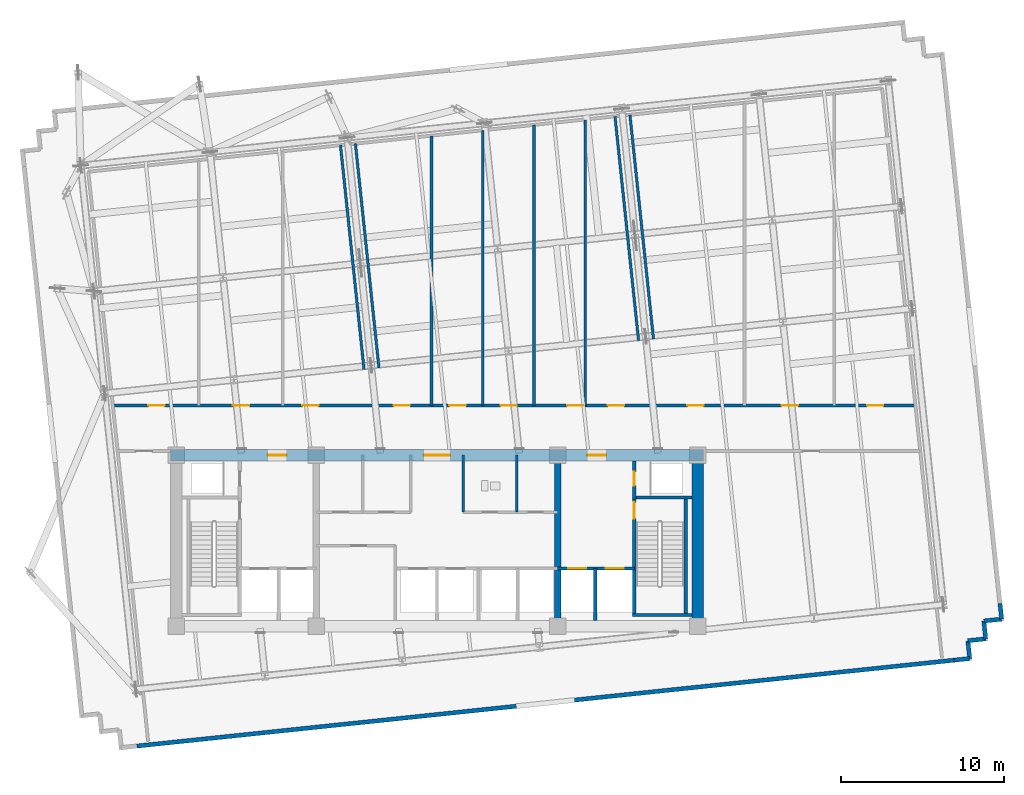
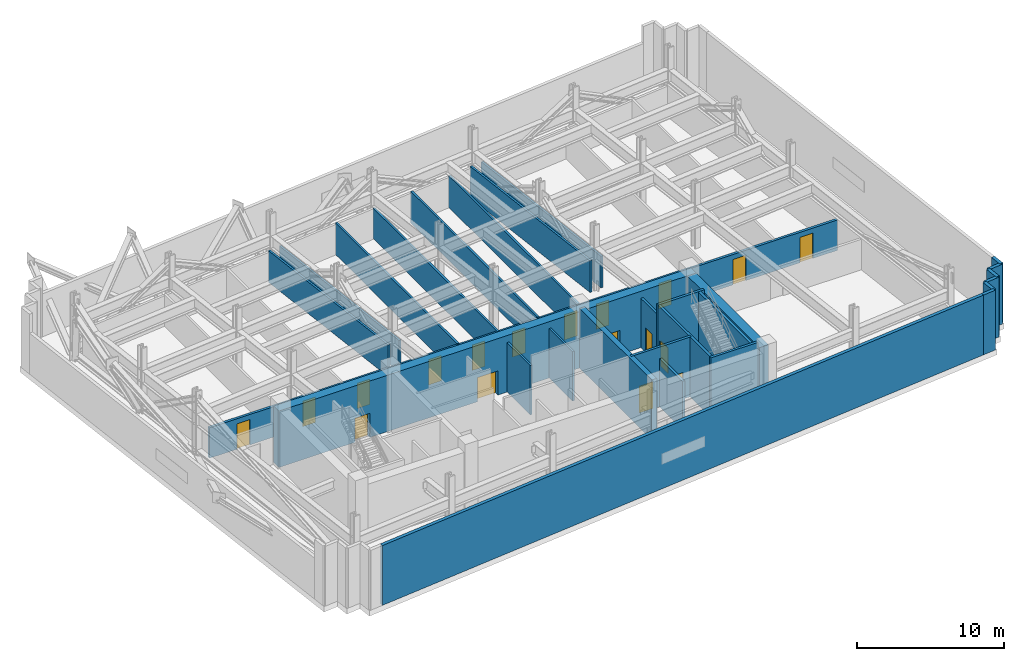
# One storey, part 7 of 11: 28 walls, 18 doors, 18 openings.
"""IFC4 building model written with IfcOpenShell, lengths in metres."""

from ifc_helpers import new_model, si_unit, direction, frame, frame_2d, origin, place, context, subcontext, project, spatial, rectangle, extrude, material, layer, layer_set, type_object, element, fill, save


model = new_model("IFC4")

# Units and contexts
model_context = context("Model", 3, precision=1e-05, world=origin(), true_north=direction((0.0, 1.0)))
body_context = subcontext(model_context, "Body", "Model", "MODEL_VIEW")
ifc_project = project(units=[si_unit("LENGTHUNIT", "METRE"), si_unit("AREAUNIT", "SQUARE_METRE"), si_unit("VOLUMEUNIT", "CUBIC_METRE"), si_unit("PLANEANGLEUNIT", "RADIAN"), si_unit("MASSUNIT", "GRAM", prefix="KILO")], contexts=[model_context])

# Site, building, storey
site_placement = place(None, origin())
site = spatial("IfcSite", under=ifc_project, at=site_placement, CompositionType="ELEMENT")
building_placement = place(site_placement, origin())
building = spatial("IfcBuilding", under=site, at=building_placement, Name="Solmavex Isthmus Hotel", CompositionType="ELEMENT")
storey_placement = place(building_placement, frame((0.0, 0.0, 130.5)))
storey = spatial("IfcBuildingStorey", under=building, at=storey_placement, Name="L35", CompositionType="ELEMENT", Elevation=130.5)

# Walls
ifc_material_1 = material(Name="Precast Concrete C40/50", Category="concrete")
ifc_layer_1 = layer(ifc_material_1, 0.260009765625)
ifc_layer_set_1 = layer_set([ifc_layer_1], Name="Precast Concrete C40/50")
wall_type_1 = type_object("IfcWallType", Name="EW-CRN-260", PredefinedType="STANDARD", material=ifc_layer_set_1)
wall_1_placement = place(storey_placement, frame((34.5341796875, -11.594482421875, 0.0), z_axis=(0.0, 0.0, 1.0), x_axis=(0.104462030706, -0.994528875469, 0.0)))
element("IfcWall", 1, at=wall_1_placement, inside=storey, type_object=wall_type_1, Name="Plant Acoustic Louvre Enclosure Wall L35-22", PredefinedType="STANDARD", context=body_context, shape_type="SweptSolid", body=[
    extrude(rectangle(XDim=0.969970703125, YDim=0.260009765625, at=frame_2d((0.48486328125, 0.0))), origin(), (0.0, 0.0, 1.0), 4.949951171875),
])
for number, where, z_axis, x_axis, name in (
    (2, (34.635498046875, -12.55908203125, 0.0), (0.0, 0.0, 1.0), (-0.994521251134, -0.104534592565, 0.0), "Plant Acoustic Louvre Enclosure Wall L35-23"),
    (3, (33.54150390625, -12.674072265625, 0.0), (0.0, 0.0, 1.0), (0.104534592565, -0.994521251134, 0.0), "Plant Acoustic Louvre Enclosure Wall L35-24"),
    (4, (33.656494140625, -13.76806640625, 0.0), (0.0, 0.0, 1.0), (-0.994521251134, -0.104534592565, 0.0), "Plant Acoustic Louvre Enclosure Wall L35-25"),
    (5, (32.5625, -13.883056640625, 0.0), (0.0, 0.0, 1.0), (0.104534592565, -0.994521251134, 0.0), "Plant Acoustic Louvre Enclosure Wall L35-26"),
):
    element("IfcWall", number, at=place(storey_placement, frame(where, z_axis=z_axis, x_axis=x_axis)), inside=storey, type_object=wall_type_1, Name=name, PredefinedType="STANDARD", context=body_context, shape_type="SweptSolid", body=[
        extrude(rectangle(XDim=1.10009765625, YDim=0.260009765625, at=frame_2d((0.550048828125, 0.0))), origin(), (0.0, 0.0, 1.0), 4.949951171875),
    ])
wall_2_placement = place(storey_placement, frame((32.677490234375, -14.97705078125, 0.0), z_axis=(0.0, 0.0, 1.0), x_axis=(-0.994528875469, -0.104462030706, 0.0)))
element("IfcWall", 6, at=wall_2_placement, inside=storey, type_object=wall_type_1, Name="Plant Acoustic Louvre Enclosure Wall L35-27", PredefinedType="STANDARD", context=body_context, shape_type="SweptSolid", body=[
    extrude(rectangle(XDim=0.969970703125, YDim=0.260009765625, at=frame_2d((0.48486328125, 0.0))), origin(), (0.0, 0.0, 1.0), 4.949951171875),
])
wall_3_placement = place(storey_placement, frame((31.712890625, -15.078369140625, 0.0), z_axis=(0.0, 0.0, 1.0), x_axis=(-0.994521764608, -0.104529707359, 0.0)))
element("IfcWall", 7, at=wall_3_placement, inside=storey, type_object=wall_type_1, Name="Plant Acoustic Louvre Enclosure Wall L35-28", PredefinedType="STANDARD", context=body_context, shape_type="SweptSolid", body=[
    extrude(rectangle(XDim=50.400146484375, YDim=0.260009765625, at=frame_2d((25.2001953125, 0.0))), origin(), (0.0, 0.0, 1.0), 4.949951171875),
])
ifc_material_2 = material(Name="Gypsum plasterboard lining", Category="gypsum")
ifc_layer_2 = layer(ifc_material_2, 0.159912109375)
ifc_layer_set_2 = layer_set([ifc_layer_2], Name="Gypsum plasterboard lining")
wall_type_2 = type_object("IfcWallType", Name="IW-COMP-160", PredefinedType="PARTITIONING", material=ifc_layer_set_2)
for number, where, z_axis, x_axis, name in (
    (8, (-4.475830078125, 2.756591796875, 0.0), (0.0, 0.0, 1.0), (-0.104523970716, 0.994522367544, 0.0), "Interior Partition Wall W-L35-OTWL"),
    (9, (-3.560791015625, 2.852783203125, 0.0), (0.0, 0.0, 1.0), (-0.104523970716, 0.994522367544, 0.0), "Interior Partition Wall W-L35-OTWR"),
):
    element("IfcWall", number, at=place(storey_placement, frame(where, z_axis=z_axis, x_axis=x_axis)), inside=storey, type_object=wall_type_2, Name=name, PredefinedType="PARTITIONING", context=body_context, shape_type="SweptSolid", body=[
        extrude(rectangle(XDim=13.829833984375, YDim=0.159912109375, at=frame_2d((6.9150390625, 0.0))), origin(), (0.0, 0.0, 1.0), 2.615966796875),
    ])
for number, where, z_axis, x_axis, name in (
    (10, (12.363525390625, 4.5263671875, 0.0), (0.0, 0.0, 1.0), (-0.104522135684, 0.994522560404, 0.0), "Interior Partition Wall W-L35-OTEL"),
    (11, (13.278564453125, 4.62255859375, 0.0), (0.0, 0.0, 1.0), (-0.104539595565, 0.994520725254, 0.0), "Interior Partition Wall W-L35-OTER"),
):
    element("IfcWall", number, at=place(storey_placement, frame(where, z_axis=z_axis, x_axis=x_axis)), inside=storey, type_object=wall_type_2, Name=name, PredefinedType="PARTITIONING", context=body_context, shape_type="SweptSolid", body=[
        extrude(rectangle(XDim=13.830078125, YDim=0.159912109375, at=frame_2d((6.9150390625, 0.0))), origin(), (0.0, 0.0, 1.0), 2.615966796875),
    ])
wall_4_placement = place(storey_placement, frame((-0.340087890625, 0.550048828125, 0.0), z_axis=(0.0, 0.0, 1.0), x_axis=(0.0, 1.0, 0.0)))
element("IfcWall", 12, at=wall_4_placement, inside=storey, type_object=wall_type_2, Name="Interior Partition Wall W-L35-PX4", PredefinedType="PARTITIONING", context=body_context, shape_type="SweptSolid", body=[
    extrude(rectangle(XDim=16.52734375, YDim=0.159912109375, at=frame_2d((8.263671875, 0.0))), origin(), (0.0, 0.0, 1.0), 2.615966796875),
])
wall_5_placement = place(storey_placement, frame((2.81005859375, 0.550048828125, 0.0), z_axis=(0.0, 0.0, 1.0), x_axis=(0.0, 1.0, 0.0)))
element("IfcWall", 13, at=wall_5_placement, inside=storey, type_object=wall_type_2, Name="Interior Partition Wall W-L35-PX5", PredefinedType="PARTITIONING", context=body_context, shape_type="SweptSolid", body=[
    extrude(rectangle(XDim=16.8583984375, YDim=0.159912109375, at=frame_2d((8.42919921875, 0.0))), origin(), (0.0, 0.0, 1.0), 2.518798828125),
])
wall_6_placement = place(storey_placement, frame((5.949951171875, 0.550048828125, 0.0), z_axis=(0.0, 0.0, 1.0), x_axis=(0.0, 1.0, 0.0)))
element("IfcWall", 14, at=wall_6_placement, inside=storey, type_object=wall_type_2, Name="Interior Partition Wall W-L35-PX6", PredefinedType="PARTITIONING", context=body_context, shape_type="SweptSolid", body=[
    extrude(rectangle(XDim=17.1884765625, YDim=0.159912109375, at=frame_2d((8.59423828125, 0.0))), origin(), (0.0, 0.0, 1.0), 2.615966796875),
])
wall_7_placement = place(storey_placement, frame((9.10009765625, 0.550048828125, 0.0), z_axis=(0.0, 0.0, 1.0), x_axis=(0.0, 1.0, 0.0)))
element("IfcWall", 15, at=wall_7_placement, inside=storey, type_object=wall_type_2, Name="Interior Partition Wall W-L35-PX7", PredefinedType="PARTITIONING", context=body_context, shape_type="SweptSolid", body=[
    extrude(rectangle(XDim=17.51953125, YDim=0.159912109375, at=frame_2d((8.759765625, 0.0))), origin(), (0.0, 0.0, 1.0), 2.615966796875),
])
ifc_layer_3 = layer(ifc_material_2, 0.14990234375)
ifc_layer_set_3 = layer_set([ifc_layer_3], Name="Gypsum plasterboard lining")
wall_type_3 = type_object("IfcWallType", Name="IW-CORR-150", PredefinedType="PARTITIONING", material=ifc_layer_set_3)
wall_8_placement = place(storey_placement, frame((1.60009765625, -6.0, 0.0), z_axis=(0.0, 0.0, 1.0), x_axis=(0.0, 1.0, 0.0)))
element("IfcWall", 16, at=wall_8_placement, inside=storey, type_object=wall_type_3, Name="Interior Partition Wall W-L35-BOH-EW", PredefinedType="PARTITIONING", context=body_context, shape_type="SweptSolid", body=[
    extrude(rectangle(XDim=3.5, YDim=0.14990234375, at=frame_2d((1.75, 0.0))), origin(), (0.0, 0.0, 1.0), 4.094970703125),
])
ifc_layer_4 = layer(ifc_material_2, 0.1201171875)
ifc_layer_set_4 = layer_set([ifc_layer_4], Name="Gypsum plasterboard lining")
wall_type_4 = type_object("IfcWallType", Name="IW-PART-120", PredefinedType="PARTITIONING", material=ifc_layer_set_4)
wall_9_placement = place(storey_placement, frame((4.89990234375, -6.0, 0.0), z_axis=(0.0, 0.0, 1.0), x_axis=(0.0, 1.0, 0.0)))
element("IfcWall", 17, at=wall_9_placement, inside=storey, type_object=wall_type_4, Name="Interior Partition Wall W-L35-BOH-EM2", PredefinedType="PARTITIONING", context=body_context, shape_type="SweptSolid", body=[
    extrude(rectangle(XDim=3.5, YDim=0.14990234375, at=frame_2d((1.75, 0.0))), origin(), (0.0, 0.0, 1.0), 4.094970703125),
])

# Wall, opening, door
ifc_material_3 = material(Name="Concrete C40/50", Category="concrete")
ifc_layer_5 = layer(ifc_material_3, 0.199951171875)
ifc_layer_set_5 = layer_set([ifc_layer_5], Name="Concrete C40/50")
wall_type_5 = type_object("IfcWallType", Name="IW-SHAFT-200", PredefinedType="PARTITIONING", material=ifc_layer_set_5)
wall_10_placement = place(storey_placement, frame((12.10009765625, -5.199951171875, 0.0), z_axis=(0.0, 0.0, 1.0), x_axis=(0.0, 1.0, 0.0)))
wall_10 = element("IfcWall", 18, at=wall_10_placement, inside=storey, type_object=wall_type_5, Name="Interior Partition Wall W-L35-RSE-W", PredefinedType="PARTITIONING", context=body_context, shape_type="SweptSolid", body=[
    extrude(rectangle(XDim=2.349853515625, YDim=0.199951171875, at=frame_2d((1.1748046875, 0.0))), origin(), (0.0, 0.0, 1.0), 4.094970703125),
])
opening_1_placement = place(wall_10_placement, frame((0.824951171875, 0.0, 0.0)))
opening_1 = element("IfcOpeningElement", 19, at=opening_1_placement, cuts=wall_10, Name="Opening ID-R085", PredefinedType="OPENING", context=body_context, shape_type="SweptSolid", body=[
    extrude(rectangle(XDim=0.85009765625, YDim=2.050048828125, at=frame_2d((0.425048828125, 1.02490234375))), frame((0.0, 0.10986328125, 0.0), z_axis=(0.0, -1.0, 0.0), x_axis=(1.0, 0.0, 0.0)), (0.0, 0.0, 1.0), 0.219970703125),
])
ifc_material_4 = material(Name="Steel ASTM A500 Grade C", Category="steel")
door_type_1 = type_object("IfcDoorType", Name="IDR-FD60-0850", OperationType="NOTDEFINED", PredefinedType="DOOR", material=ifc_material_4)
door_1_placement = place(opening_1_placement, frame((0.85009765625, 0.0, 0.0), z_axis=(0.0, 0.0, 1.0), x_axis=(-1.0, 0.0, 0.0)))
door_1 = element("IfcDoor", 20, at=door_1_placement, inside=storey, type_object=door_type_1, Name="Mechanical Riser Door L35", OperationType="SINGLE_SWING_LEFT", OverallHeight=2.050048828125, OverallWidth=0.85009765625, PredefinedType="DOOR", context=body_context, shape_type="SweptSolid", body=[
    extrude(rectangle(XDim=0.85009765625, YDim=2.050048828125, at=frame_2d((0.425048828125, 1.02490234375))), frame((0.0, 0.02490234375, 0.0), z_axis=(0.0, -1.0, 0.0), x_axis=(1.0, 0.0, 0.0)), (0.0, 0.0, 1.0), 0.050048828125),
])
fill(opening_1, door_1)

# Wall, openings, doors
wall_11_placement = place(storey_placement, frame((7.39990234375, -9.449951171875, 0.0), z_axis=(0.0, 0.0, 1.0), x_axis=(1.0, 0.0, 0.0)))
wall_11 = element("IfcWall", 21, at=wall_11_placement, inside=storey, type_object=wall_type_5, Name="Interior Partition Wall W-L35-FFLE-S", PredefinedType="PARTITIONING", context=body_context, shape_type="SweptSolid", body=[
    extrude(rectangle(XDim=4.7001953125, YDim=0.199951171875, at=frame_2d((2.35009765625, 0.0))), origin(), (0.0, 0.0, 1.0), 4.949951171875),
])
opening_2_placement = place(wall_11_placement, frame((2.949951171875, 0.0, 0.0)))
opening_2 = element("IfcOpeningElement", 22, at=opening_2_placement, cuts=wall_11, Name="Opening LD-FF", PredefinedType="OPENING", context=body_context, shape_type="SweptSolid", body=[
    extrude(rectangle(XDim=1.10009765625, YDim=2.199951171875, at=frame_2d((0.550048828125, 1.10009765625))), frame((0.0, 0.10986328125, 0.0), z_axis=(0.0, -1.0, 0.0), x_axis=(1.0, 0.0, 0.0)), (0.0, 0.0, 1.0), 0.219970703125),
])
opening_3_placement = place(wall_11_placement, frame((0.64990234375, 0.0, 0.0)))
opening_3 = element("IfcOpeningElement", 23, at=opening_3_placement, cuts=wall_11, Name="Opening LD-SV", PredefinedType="OPENING", context=body_context, shape_type="SweptSolid", body=[
    extrude(rectangle(XDim=1.10009765625, YDim=2.199951171875, at=frame_2d((0.550048828125, 1.10009765625))), frame((0.0, 0.10986328125, 0.0), z_axis=(0.0, -1.0, 0.0), x_axis=(1.0, 0.0, 0.0)), (0.0, 0.0, 1.0), 0.219970703125),
])
ifc_material_5 = material(Name="Stainless steel 316", Category="steel")
door_type_2 = type_object("IfcDoorType", Name="LDR-FF-1100", OperationType="NOTDEFINED", PredefinedType="DOOR", material=ifc_material_5)
door_2_placement = place(opening_2_placement, origin())
door_2 = element("IfcDoor", 24, at=door_2_placement, inside=storey, type_object=door_type_2, Name="Lift Landing Door FFL-2 L35", OperationType="SLIDING_TO_LEFT", OverallHeight=2.199951171875, OverallWidth=1.10009765625, PredefinedType="DOOR", context=body_context, shape_type="SweptSolid", body=[
    extrude(rectangle(XDim=1.10009765625, YDim=2.199951171875, at=frame_2d((0.550048828125, 1.10009765625))), frame((0.0, 0.02490234375, 0.0), z_axis=(0.0, -1.0, 0.0), x_axis=(1.0, 0.0, 0.0)), (0.0, 0.0, 1.0), 0.050048828125),
])
fill(opening_2, door_2)
door_type_3 = type_object("IfcDoorType", Name="LDR-SV-1100", OperationType="NOTDEFINED", PredefinedType="DOOR", material=ifc_material_5)
door_3_placement = place(opening_3_placement, origin())
door_3 = element("IfcDoor", 25, at=door_3_placement, inside=storey, type_object=door_type_3, Name="Lift Landing Door SVL-2 L35", OperationType="SLIDING_TO_RIGHT", OverallHeight=2.199951171875, OverallWidth=1.10009765625, PredefinedType="DOOR", context=body_context, shape_type="SweptSolid", body=[
    extrude(rectangle(XDim=1.10009765625, YDim=2.199951171875, at=frame_2d((0.550048828125, 1.10009765625))), frame((0.0, 0.02490234375, 0.0), z_axis=(0.0, -1.0, 0.0), x_axis=(1.0, 0.0, 0.0)), (0.0, 0.0, 1.0), 0.050048828125),
])
fill(opening_3, door_3)

# Wall
wall_12_placement = place(storey_placement, frame((9.699951171875, -12.64990234375, 0.0), z_axis=(0.0, 0.0, 1.0), x_axis=(0.0, 1.0, 0.0)))
element("IfcWall", 26, at=wall_12_placement, inside=storey, type_object=wall_type_5, Name="Interior Partition Wall W-L35-FFLE-M", PredefinedType="PARTITIONING", context=body_context, shape_type="SweptSolid", body=[
    extrude(rectangle(XDim=3.199951171875, YDim=0.199951171875, at=frame_2d((1.60009765625, 0.0))), origin(), (0.0, 0.0, 1.0), 3.985107421875),
])

# Wall, openings, doors
wall_13_placement = place(storey_placement, frame((-19.86328125, 0.550048828125, 0.0), z_axis=(0.0, 0.0, 1.0), x_axis=(1.0, 0.0, 0.0)))
wall_13 = element("IfcWall", 27, at=wall_13_placement, inside=storey, type_object=wall_type_5, Name="Interior Partition Wall W-L35-PN", PredefinedType="PARTITIONING", context=body_context, shape_type="SweptSolid", body=[
    extrude(rectangle(XDim=49.189453125, YDim=0.199951171875, at=frame_2d((24.5947265625, 0.0))), origin(), (0.0, 0.0, 1.0), 2.518798828125),
])
opening_4_placement = place(wall_13_placement, frame((2.158203125, 0.0, 0.0)))
opening_4 = element("IfcOpeningElement", 28, at=opening_4_placement, cuts=wall_13, Name="Opening ID-F100", PredefinedType="OPENING", context=body_context, shape_type="SweptSolid", body=[
    extrude(rectangle(XDim=1.0, YDim=2.10009765625, at=frame_2d((0.5, 1.050048828125))), frame((0.0, 0.10986328125, 0.0), z_axis=(0.0, -1.0, 0.0), x_axis=(1.0, 0.0, 0.0)), (0.0, 0.0, 1.0), 0.219970703125),
])
opening_5_placement = place(wall_13_placement, frame((7.348388671875, 0.0, 0.0)))
opening_5 = element("IfcOpeningElement", 29, at=opening_5_placement, cuts=wall_13, Name="Opening ID-F100", PredefinedType="OPENING", context=body_context, shape_type="SweptSolid", body=[
    extrude(rectangle(XDim=1.0, YDim=2.10009765625, at=frame_2d((0.5, 1.050048828125))), frame((0.0, 0.10986328125, 0.0), z_axis=(0.0, -1.0, 0.0), x_axis=(1.0, 0.0, 0.0)), (0.0, 0.0, 1.0), 0.219970703125),
])
opening_6_placement = place(wall_13_placement, frame((11.598388671875, 0.0, 0.0)))
opening_6 = element("IfcOpeningElement", 30, at=opening_6_placement, cuts=wall_13, Name="Opening ID-F100", PredefinedType="OPENING", context=body_context, shape_type="SweptSolid", body=[
    extrude(rectangle(XDim=1.0, YDim=2.10009765625, at=frame_2d((0.5, 1.050048828125))), frame((0.0, 0.10986328125, 0.0), z_axis=(0.0, -1.0, 0.0), x_axis=(1.0, 0.0, 0.0)), (0.0, 0.0, 1.0), 0.219970703125),
])
opening_7_placement = place(wall_13_placement, frame((17.1982421875, 0.0, 0.0)))
opening_7 = element("IfcOpeningElement", 31, at=opening_7_placement, cuts=wall_13, Name="Opening ID-F100", PredefinedType="OPENING", context=body_context, shape_type="SweptSolid", body=[
    extrude(rectangle(XDim=1.0, YDim=2.10009765625, at=frame_2d((0.5, 1.050048828125))), frame((0.0, 0.10986328125, 0.0), z_axis=(0.0, -1.0, 0.0), x_axis=(1.0, 0.0, 0.0)), (0.0, 0.0, 1.0), 0.219970703125),
])
opening_8_placement = place(wall_13_placement, frame((20.62841796875, 0.0, 0.0)))
opening_8 = element("IfcOpeningElement", 32, at=opening_8_placement, cuts=wall_13, Name="Opening ID-F100", PredefinedType="OPENING", context=body_context, shape_type="SweptSolid", body=[
    extrude(rectangle(XDim=1.0, YDim=2.10009765625, at=frame_2d((0.5, 1.050048828125))), frame((0.0, 0.10986328125, 0.0), z_axis=(0.0, -1.0, 0.0), x_axis=(1.0, 0.0, 0.0)), (0.0, 0.0, 1.0), 0.219970703125),
])
opening_9_placement = place(wall_13_placement, frame((23.768310546875, 0.0, 0.0)))
opening_9 = element("IfcOpeningElement", 33, at=opening_9_placement, cuts=wall_13, Name="Opening ID-F100", PredefinedType="OPENING", context=body_context, shape_type="SweptSolid", body=[
    extrude(rectangle(XDim=1.0, YDim=2.10009765625, at=frame_2d((0.5, 1.050048828125))), frame((0.0, 0.10986328125, 0.0), z_axis=(0.0, -1.0, 0.0), x_axis=(1.0, 0.0, 0.0)), (0.0, 0.0, 1.0), 0.219970703125),
])
opening_10_placement = place(wall_13_placement, frame((27.83837890625, 0.0, 0.0)))
opening_10 = element("IfcOpeningElement", 34, at=opening_10_placement, cuts=wall_13, Name="Opening ID-F100", PredefinedType="OPENING", context=body_context, shape_type="SweptSolid", body=[
    extrude(rectangle(XDim=1.0, YDim=2.10009765625, at=frame_2d((0.5, 1.050048828125))), frame((0.0, 0.10986328125, 0.0), z_axis=(0.0, -1.0, 0.0), x_axis=(1.0, 0.0, 0.0)), (0.0, 0.0, 1.0), 0.219970703125),
])
opening_11_placement = place(wall_13_placement, frame((30.33837890625, 0.0, 0.0)))
opening_11 = element("IfcOpeningElement", 35, at=opening_11_placement, cuts=wall_13, Name="Opening ID-F100", PredefinedType="OPENING", context=body_context, shape_type="SweptSolid", body=[
    extrude(rectangle(XDim=1.0, YDim=2.10009765625, at=frame_2d((0.5, 1.050048828125))), frame((0.0, 0.10986328125, 0.0), z_axis=(0.0, -1.0, 0.0), x_axis=(1.0, 0.0, 0.0)), (0.0, 0.0, 1.0), 0.219970703125),
])
opening_12_placement = place(wall_13_placement, frame((35.218505859375, 0.0, 0.0)))
opening_12 = element("IfcOpeningElement", 36, at=opening_12_placement, cuts=wall_13, Name="Opening ID-F100", PredefinedType="OPENING", context=body_context, shape_type="SweptSolid", body=[
    extrude(rectangle(XDim=1.0, YDim=2.10009765625, at=frame_2d((0.5, 1.050048828125))), frame((0.0, 0.10986328125, 0.0), z_axis=(0.0, -1.0, 0.0), x_axis=(1.0, 0.0, 0.0)), (0.0, 0.0, 1.0), 0.219970703125),
])
opening_13_placement = place(wall_13_placement, frame((41.00830078125, 0.0, 0.0)))
opening_13 = element("IfcOpeningElement", 37, at=opening_13_placement, cuts=wall_13, Name="Opening ID-F100", PredefinedType="OPENING", context=body_context, shape_type="SweptSolid", body=[
    extrude(rectangle(XDim=1.0, YDim=2.10009765625, at=frame_2d((0.5, 1.050048828125))), frame((0.0, 0.10986328125, 0.0), z_axis=(0.0, -1.0, 0.0), x_axis=(1.0, 0.0, 0.0)), (0.0, 0.0, 1.0), 0.219970703125),
])
opening_14_placement = place(wall_13_placement, frame((46.248291015625, 0.0, 0.0)))
opening_14 = element("IfcOpeningElement", 38, at=opening_14_placement, cuts=wall_13, Name="Opening ID-F100", PredefinedType="OPENING", context=body_context, shape_type="SweptSolid", body=[
    extrude(rectangle(XDim=1.0, YDim=2.10009765625, at=frame_2d((0.5, 1.050048828125))), frame((0.0, 0.10986328125, 0.0), z_axis=(0.0, -1.0, 0.0), x_axis=(1.0, 0.0, 0.0)), (0.0, 0.0, 1.0), 0.219970703125),
])
door_type_4 = type_object("IfcDoorType", Name="IDR-FD90-1000", OperationType="NOTDEFINED", PredefinedType="DOOR", material=ifc_material_4)
door_4_placement = place(opening_4_placement, origin())
door_4 = element("IfcDoor", 39, at=door_4_placement, inside=storey, type_object=door_type_4, Name="Pressurised Area of Refuge West Door L35-1", OperationType="SINGLE_SWING_LEFT", OverallHeight=2.10009765625, OverallWidth=1.0, PredefinedType="DOOR", context=body_context, shape_type="SweptSolid", body=[
    extrude(rectangle(XDim=1.0, YDim=2.10009765625, at=frame_2d((0.5, 1.050048828125))), frame((0.0, 0.02490234375, 0.0), z_axis=(0.0, -1.0, 0.0), x_axis=(1.0, 0.0, 0.0)), (0.0, 0.0, 1.0), 0.050048828125),
])
fill(opening_4, door_4)
door_5_placement = place(opening_5_placement, origin())
door_5 = element("IfcDoor", 40, at=door_5_placement, inside=storey, type_object=door_type_4, Name="Accessible Refuge Area North-West Door L35-2", OperationType="SINGLE_SWING_RIGHT", OverallHeight=2.10009765625, OverallWidth=1.0, PredefinedType="DOOR", context=body_context, shape_type="SweptSolid", body=[
    extrude(rectangle(XDim=1.0, YDim=2.10009765625, at=frame_2d((0.5, 1.050048828125))), frame((0.0, 0.02490234375, 0.0), z_axis=(0.0, -1.0, 0.0), x_axis=(1.0, 0.0, 0.0)), (0.0, 0.0, 1.0), 0.050048828125),
])
fill(opening_5, door_5)
door_6_placement = place(opening_6_placement, origin())
door_6 = element("IfcDoor", 41, at=door_6_placement, inside=storey, type_object=door_type_4, Name="Hydronic Heat Exchanger Plant Room Door L35-3", OperationType="SINGLE_SWING_LEFT", OverallHeight=2.10009765625, OverallWidth=1.0, PredefinedType="DOOR", context=body_context, shape_type="SweptSolid", body=[
    extrude(rectangle(XDim=1.0, YDim=2.10009765625, at=frame_2d((0.5, 1.050048828125))), frame((0.0, 0.02490234375, 0.0), z_axis=(0.0, -1.0, 0.0), x_axis=(1.0, 0.0, 0.0)), (0.0, 0.0, 1.0), 0.050048828125),
])
fill(opening_6, door_6)
door_7_placement = place(opening_7_placement, origin())
door_7 = element("IfcDoor", 42, at=door_7_placement, inside=storey, type_object=door_type_4, Name="Primary Centrifugal Chiller Plant Room Door L35-4", OperationType="SINGLE_SWING_RIGHT", OverallHeight=2.10009765625, OverallWidth=1.0, PredefinedType="DOOR", context=body_context, shape_type="SweptSolid", body=[
    extrude(rectangle(XDim=1.0, YDim=2.10009765625, at=frame_2d((0.5, 1.050048828125))), frame((0.0, 0.02490234375, 0.0), z_axis=(0.0, -1.0, 0.0), x_axis=(1.0, 0.0, 0.0)), (0.0, 0.0, 1.0), 0.050048828125),
])
fill(opening_7, door_7)
door_8_placement = place(opening_8_placement, origin())
door_8 = element("IfcDoor", 43, at=door_8_placement, inside=storey, type_object=door_type_4, Name="Secondary Chilled Water Pump Plant Room Door L35-5", OperationType="SINGLE_SWING_LEFT", OverallHeight=2.10009765625, OverallWidth=1.0, PredefinedType="DOOR", context=body_context, shape_type="SweptSolid", body=[
    extrude(rectangle(XDim=1.0, YDim=2.10009765625, at=frame_2d((0.5, 1.050048828125))), frame((0.0, 0.02490234375, 0.0), z_axis=(0.0, -1.0, 0.0), x_axis=(1.0, 0.0, 0.0)), (0.0, 0.0, 1.0), 0.050048828125),
])
fill(opening_8, door_8)
door_9_placement = place(opening_9_placement, origin())
door_9 = element("IfcDoor", 44, at=door_9_placement, inside=storey, type_object=door_type_4, Name="Dedicated Outdoor Air Handling Plant Room Door L35-6", OperationType="SINGLE_SWING_RIGHT", OverallHeight=2.10009765625, OverallWidth=1.0, PredefinedType="DOOR", context=body_context, shape_type="SweptSolid", body=[
    extrude(rectangle(XDim=1.0, YDim=2.10009765625, at=frame_2d((0.5, 1.050048828125))), frame((0.0, 0.02490234375, 0.0), z_axis=(0.0, -1.0, 0.0), x_axis=(1.0, 0.0, 0.0)), (0.0, 0.0, 1.0), 0.050048828125),
])
fill(opening_9, door_9)
door_10_placement = place(opening_10_placement, origin())
door_10 = element("IfcDoor", 45, at=door_10_placement, inside=storey, type_object=door_type_4, Name="High-Voltage Transformer Plant Room Door L35-7", OperationType="SINGLE_SWING_LEFT", OverallHeight=2.10009765625, OverallWidth=1.0, PredefinedType="DOOR", context=body_context, shape_type="SweptSolid", body=[
    extrude(rectangle(XDim=1.0, YDim=2.10009765625, at=frame_2d((0.5, 1.050048828125))), frame((0.0, 0.02490234375, 0.0), z_axis=(0.0, -1.0, 0.0), x_axis=(1.0, 0.0, 0.0)), (0.0, 0.0, 1.0), 0.050048828125),
])
fill(opening_10, door_10)
door_11_placement = place(opening_11_placement, origin())
door_11 = element("IfcDoor", 46, at=door_11_placement, inside=storey, type_object=door_type_4, Name="Emergency Switchgear and UPS Plant Room Door L35-8", OperationType="SINGLE_SWING_RIGHT", OverallHeight=2.10009765625, OverallWidth=1.0, PredefinedType="DOOR", context=body_context, shape_type="SweptSolid", body=[
    extrude(rectangle(XDim=1.0, YDim=2.10009765625, at=frame_2d((0.5, 1.050048828125))), frame((0.0, 0.02490234375, 0.0), z_axis=(0.0, -1.0, 0.0), x_axis=(1.0, 0.0, 0.0)), (0.0, 0.0, 1.0), 0.050048828125),
])
fill(opening_11, door_11)
door_12_placement = place(opening_12_placement, origin())
door_12 = element("IfcDoor", 47, at=door_12_placement, inside=storey, type_object=door_type_4, Name="Smoke Exhaust and Pressurisation Plant Room Door L35-9", OperationType="SINGLE_SWING_LEFT", OverallHeight=2.10009765625, OverallWidth=1.0, PredefinedType="DOOR", context=body_context, shape_type="SweptSolid", body=[
    extrude(rectangle(XDim=1.0, YDim=2.10009765625, at=frame_2d((0.5, 1.050048828125))), frame((0.0, 0.02490234375, 0.0), z_axis=(0.0, -1.0, 0.0), x_axis=(1.0, 0.0, 0.0)), (0.0, 0.0, 1.0), 0.050048828125),
])
fill(opening_12, door_12)
door_13_placement = place(opening_13_placement, origin())
door_13 = element("IfcDoor", 48, at=door_13_placement, inside=storey, type_object=door_type_4, Name="Accessible Refuge Area North-East Door L35-10", OperationType="SINGLE_SWING_RIGHT", OverallHeight=2.10009765625, OverallWidth=1.0, PredefinedType="DOOR", context=body_context, shape_type="SweptSolid", body=[
    extrude(rectangle(XDim=1.0, YDim=2.10009765625, at=frame_2d((0.5, 1.050048828125))), frame((0.0, 0.02490234375, 0.0), z_axis=(0.0, -1.0, 0.0), x_axis=(1.0, 0.0, 0.0)), (0.0, 0.0, 1.0), 0.050048828125),
])
fill(opening_13, door_13)
door_14_placement = place(opening_14_placement, origin())
door_14 = element("IfcDoor", 49, at=door_14_placement, inside=storey, type_object=door_type_4, Name="Pressurised Area of Refuge East Door L35-11", OperationType="SINGLE_SWING_LEFT", OverallHeight=2.10009765625, OverallWidth=1.0, PredefinedType="DOOR", context=body_context, shape_type="SweptSolid", body=[
    extrude(rectangle(XDim=1.0, YDim=2.10009765625, at=frame_2d((0.5, 1.050048828125))), frame((0.0, 0.02490234375, 0.0), z_axis=(0.0, -1.0, 0.0), x_axis=(1.0, 0.0, 0.0)), (0.0, 0.0, 1.0), 0.050048828125),
])
fill(opening_14, door_14)

# Wall
ifc_material_6 = material(Name="Concrete C60/75", Category="concrete")
ifc_layer_6 = layer(ifc_material_6, 0.39990234375)
ifc_layer_set_6 = layer_set([ifc_layer_6], Name="Concrete C60/75")
wall_type_6 = type_object("IfcWallType", Name="WALL-CW-400M", PredefinedType="SHEAR", material=ifc_layer_set_6)
wall_14_placement = place(storey_placement, frame((7.39990234375, -12.64990234375, 0.0), z_axis=(0.0, 0.0, 1.0), x_axis=(0.0, 1.0, 0.0)))
element("IfcWall", 50, at=wall_14_placement, inside=storey, type_object=wall_type_6, Name="Core Cross Shear Wall C2 L35", PredefinedType="SHEAR", context=body_context, shape_type="SweptSolid", body=[
    extrude(rectangle(XDim=9.7998046875, YDim=0.39990234375, at=frame_2d((4.89990234375, 0.0))), origin(), (0.0, 0.0, 1.0), 4.949951171875),
])

# Wall, openings, doors
ifc_layer_7 = layer(ifc_material_6, 0.699951171875)
ifc_layer_set_7 = layer_set([ifc_layer_7], Name="Concrete C60/75")
wall_type_7 = type_object("IfcWallType", Name="WALL-CW-700", PredefinedType="SHEAR", material=ifc_layer_set_7)
wall_15_placement = place(storey_placement, frame((-16.35009765625, -2.5, 0.0), z_axis=(0.0, 0.0, 1.0), x_axis=(1.0, 0.0, 0.0)))
wall_15 = element("IfcWall", 51, at=wall_15_placement, inside=storey, type_object=wall_type_7, Name="Core Shear Wall North L35", PredefinedType="SHEAR", context=body_context, shape_type="SweptSolid", body=[
    extrude(rectangle(XDim=32.7001953125, YDim=0.699951171875, at=frame_2d((16.35009765625, 0.0))), origin(), (0.0, 0.0, 1.0), 4.669921875),
])
opening_15_placement = place(wall_15_placement, frame((5.97509765625, 0.0, 0.0)))
opening_15 = element("IfcOpeningElement", 52, at=opening_15_placement, cuts=wall_15, Name="Opening ID-F915", PredefinedType="OPENING", context=body_context, shape_type="SweptSolid", body=[
    extrude(rectangle(XDim=1.14990234375, YDim=2.0, at=frame_2d((0.574951171875, 1.0))), frame((0.0, 0.35986328125, 0.0), z_axis=(0.0, -1.0, 0.0), x_axis=(1.0, 0.0, 0.0)), (0.0, 0.0, 1.0), 0.719970703125),
])
opening_16_placement = place(wall_15_placement, frame((15.550048828125, 0.0, 0.0)))
opening_16 = element("IfcOpeningElement", 53, at=opening_16_placement, cuts=wall_15, Name="Opening ID-F960", PredefinedType="OPENING", context=body_context, shape_type="SweptSolid", body=[
    extrude(rectangle(XDim=1.60009765625, YDim=2.0, at=frame_2d((0.800048828125, 1.0))), frame((0.0, 0.35986328125, 0.0), z_axis=(0.0, -1.0, 0.0), x_axis=(1.0, 0.0, 0.0)), (0.0, 0.0, 1.0), 0.719970703125),
])
opening_17_placement = place(wall_15_placement, frame((25.574951171875, 0.0, 0.0)))
opening_17 = element("IfcOpeningElement", 54, at=opening_17_placement, cuts=wall_15, Name="Opening ID-F915", PredefinedType="OPENING", context=body_context, shape_type="SweptSolid", body=[
    extrude(rectangle(XDim=1.14990234375, YDim=2.0, at=frame_2d((0.574951171875, 1.0))), frame((0.0, 0.35986328125, 0.0), z_axis=(0.0, -1.0, 0.0), x_axis=(1.0, 0.0, 0.0)), (0.0, 0.0, 1.0), 0.719970703125),
])
door_type_5 = type_object("IfcDoorType", Name="IDR-FD90-1150C", OperationType="NOTDEFINED", PredefinedType="DOOR", material=ifc_material_4)
door_15_placement = place(opening_15_placement, origin())
door_15 = element("IfcDoor", 55, at=door_15_placement, inside=storey, type_object=door_type_5, Name="Firefighting Lobby West Exit Door L35", OperationType="SINGLE_SWING_LEFT", OverallHeight=2.0, OverallWidth=1.14990234375, PredefinedType="DOOR", context=body_context, shape_type="SweptSolid", body=[
    extrude(rectangle(XDim=1.14990234375, YDim=2.0, at=frame_2d((0.574951171875, 1.0))), frame((0.0, 0.02490234375, 0.0), z_axis=(0.0, -1.0, 0.0), x_axis=(1.0, 0.0, 0.0)), (0.0, 0.0, 1.0), 0.050048828125),
])
fill(opening_15, door_15)
door_16_placement = place(opening_17_placement, origin())
door_16 = element("IfcDoor", 56, at=door_16_placement, inside=storey, type_object=door_type_5, Name="Firefighting Lobby East Exit Door L35", OperationType="SINGLE_SWING_RIGHT", OverallHeight=2.0, OverallWidth=1.14990234375, PredefinedType="DOOR", context=body_context, shape_type="SweptSolid", body=[
    extrude(rectangle(XDim=1.14990234375, YDim=2.0, at=frame_2d((0.574951171875, 1.0))), frame((0.0, 0.02490234375, 0.0), z_axis=(0.0, -1.0, 0.0), x_axis=(1.0, 0.0, 0.0)), (0.0, 0.0, 1.0), 0.050048828125),
])
fill(opening_17, door_16)
door_type_6 = type_object("IfcDoorType", Name="IDR-FD90-1600C", OperationType="NOTDEFINED", PredefinedType="DOOR", material=ifc_material_4)
door_17_placement = place(opening_16_placement, origin())
door_17 = element("IfcDoor", 57, at=door_17_placement, inside=storey, type_object=door_type_6, Name="Central Lift Lobby Door L35", OperationType="DOUBLE_DOOR_SINGLE_SWING", OverallHeight=2.0, OverallWidth=1.60009765625, PredefinedType="DOOR", context=body_context, shape_type="SweptSolid", body=[
    extrude(rectangle(XDim=1.60009765625, YDim=2.0, at=frame_2d((0.800048828125, 1.0))), frame((0.0, 0.02490234375, 0.0), z_axis=(0.0, -1.0, 0.0), x_axis=(1.0, 0.0, 0.0)), (0.0, 0.0, 1.0), 0.050048828125),
])
fill(opening_16, door_17)

# Walls
wall_16_placement = place(storey_placement, frame((16.0, -12.64990234375, 0.0), z_axis=(0.0, 0.0, 1.0), x_axis=(0.0, 1.0, 0.0)))
element("IfcWall", 58, at=wall_16_placement, inside=storey, type_object=wall_type_7, Name="Core Shear Wall East L35", PredefinedType="SHEAR", context=body_context, shape_type="SweptSolid", body=[
    extrude(rectangle(XDim=9.7998046875, YDim=0.699951171875, at=frame_2d((4.89990234375, 0.0))), origin(), (0.0, 0.0, 1.0), 4.669921875),
])
ifc_layer_8 = layer(ifc_material_3, 0.199951171875)
ifc_layer_set_8 = layer_set([ifc_layer_8], Name="Concrete C40/50")
wall_type_8 = type_object("IfcWallType", Name="WALL-SW-200", PredefinedType="SOLIDWALL", material=ifc_layer_set_8)
for number, where, z_axis, x_axis, name in (
    (59, (12.0, -12.300048828125, 0.0), (0.0, 0.0, 1.0), (1.0, 0.0, 0.0), "Stairwell Structural Wall SW-L35-ST2-S"),
    (60, (12.0, -5.10009765625, 0.0), (0.0, 0.0, 1.0), (1.0, 0.0, 0.0), "Stairwell Structural Wall SW-L35-ST2-N"),
):
    element("IfcWall", number, at=place(storey_placement, frame(where, z_axis=z_axis, x_axis=x_axis)), inside=storey, type_object=wall_type_8, Name=name, PredefinedType="SOLIDWALL", context=body_context, shape_type="SweptSolid", body=[
        extrude(rectangle(XDim=3.64990234375, YDim=0.199951171875, at=frame_2d((1.824951171875, 0.0))), origin(), (0.0, 0.0, 1.0), 4.949951171875),
    ])

# Wall, opening, door
wall_17_placement = place(storey_placement, frame((12.10009765625, -12.199951171875, 0.0), z_axis=(0.0, 0.0, 1.0), x_axis=(0.0, 1.0, 0.0)))
wall_17 = element("IfcWall", 61, at=wall_17_placement, inside=storey, type_object=wall_type_8, Name="Stairwell Structural Wall SW-L35-ST2-W", PredefinedType="SOLIDWALL", context=body_context, shape_type="SweptSolid", body=[
    extrude(rectangle(XDim=7.0, YDim=0.199951171875, at=frame_2d((3.5, 0.0))), origin(), (0.0, 0.0, 1.0), 4.949951171875),
])
opening_18_placement = place(wall_17_placement, frame((5.800048828125, 0.0, 0.0)))
opening_18 = element("IfcOpeningElement", 62, at=opening_18_placement, cuts=wall_17, Name="Opening ID-F100", PredefinedType="OPENING", context=body_context, shape_type="SweptSolid", body=[
    extrude(rectangle(XDim=1.0, YDim=2.10009765625, at=frame_2d((0.5, 1.050048828125))), frame((0.0, 0.10986328125, 0.0), z_axis=(0.0, -1.0, 0.0), x_axis=(1.0, 0.0, 0.0)), (0.0, 0.0, 1.0), 0.219970703125),
])
door_18_placement = place(opening_18_placement, origin())
door_18 = element("IfcDoor", 63, at=door_18_placement, inside=storey, type_object=door_type_4, Name="Stair ST-2 Fire Door L35", OperationType="SINGLE_SWING_RIGHT", OverallHeight=2.10009765625, OverallWidth=1.0, PredefinedType="DOOR", context=body_context, shape_type="SweptSolid", body=[
    extrude(rectangle(XDim=1.0, YDim=2.10009765625, at=frame_2d((0.5, 1.050048828125))), frame((0.0, 0.02490234375, 0.0), z_axis=(0.0, -1.0, 0.0), x_axis=(1.0, 0.0, 0.0)), (0.0, 0.0, 1.0), 0.050048828125),
])
fill(opening_18, door_18)

# Wall
wall_18_placement = place(storey_placement, frame((15.25, -12.199951171875, 0.0), z_axis=(0.0, 0.0, 1.0), x_axis=(0.0, 1.0, 0.0)))
element("IfcWall", 64, at=wall_18_placement, inside=storey, type_object=wall_type_8, Name="Stairwell Structural Wall SW-L35-ST2-E", PredefinedType="SOLIDWALL", context=body_context, shape_type="SweptSolid", body=[
    extrude(rectangle(XDim=7.0, YDim=0.199951171875, at=frame_2d((3.5, 0.0))), origin(), (0.0, 0.0, 1.0), 4.949951171875),
])

save(model, "model.ifc")
